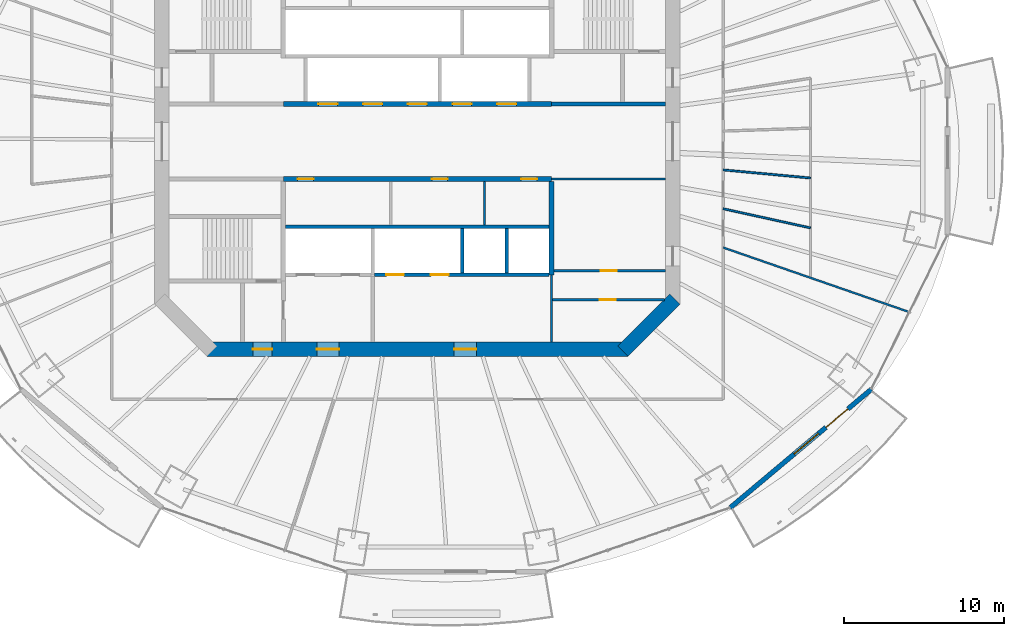
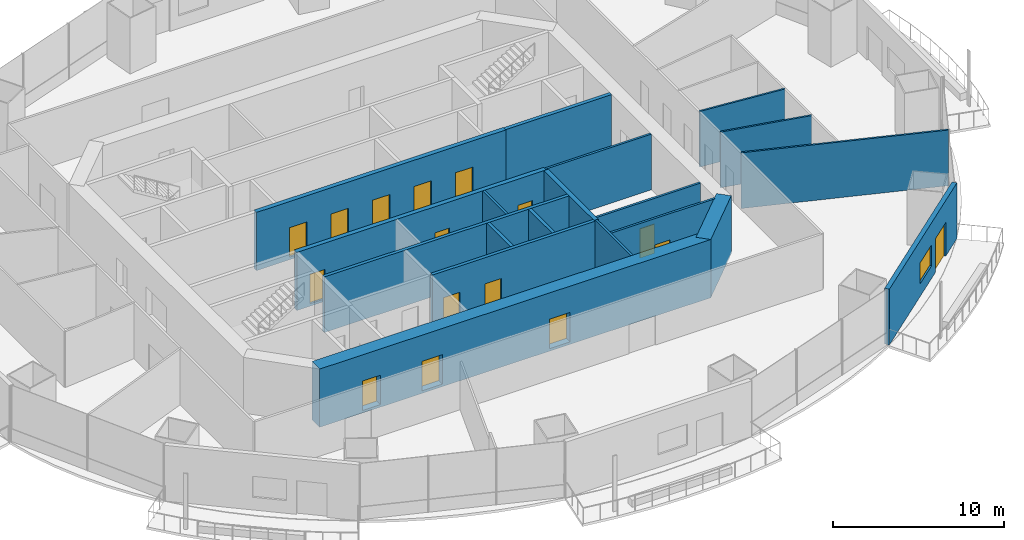
# One storey, part 12 of 20: 19 walls, 16 doors, 1 window, 17 openings.
"""IFC4 building model written with IfcOpenShell, lengths in metres."""

from ifc_helpers import new_model, si_unit, direction, frame, frame_2d, origin, place, context, subcontext, project, spatial, rectangle, extrude, material, layer, layer_set, type_object, element, fill, save


model = new_model("IFC4")

# Units and contexts
model_context = context("Model", 3, precision=1e-05, world=origin(), true_north=direction((0.0, 1.0)))
body_context = subcontext(model_context, "Body", "Model", "MODEL_VIEW")
ifc_project = project(units=[si_unit("LENGTHUNIT", "METRE"), si_unit("AREAUNIT", "SQUARE_METRE"), si_unit("VOLUMEUNIT", "CUBIC_METRE"), si_unit("PLANEANGLEUNIT", "RADIAN"), si_unit("MASSUNIT", "GRAM", prefix="KILO")], contexts=[model_context])

# Site, building, storey
site_placement = place(None, origin())
site = spatial("IfcSite", under=ifc_project, at=site_placement, CompositionType="ELEMENT")
building_placement = place(site_placement, origin())
building = spatial("IfcBuilding", under=site, at=building_placement, Name="Marenthal Gate Tower", CompositionType="ELEMENT")
storey_placement = place(building_placement, frame((0.0, 0.0, 190.10009765625)))
storey = spatial("IfcBuildingStorey", under=building, at=storey_placement, Name="L41", CompositionType="ELEMENT", Elevation=190.10009765625)

# Wall
ifc_material_1 = material(Name="Concrete 60 MPa", Category="concrete")
ifc_layer_1 = layer(ifc_material_1, 0.89990234375)
ifc_layer_set_1 = layer_set([ifc_layer_1], Name="Core shear wall 900")
wall_type_1 = type_object("IfcWallType", Name="Core shear wall 900", PredefinedType="SHEAR", material=ifc_layer_set_1)
wall_1_placement = place(storey_placement, frame((12.8681640625, -13.1318359375, -0.18017578125), z_axis=(0.0, 0.0, 1.0), x_axis=(0.707106781187, 0.707106781187, 0.0)))
element("IfcWall", 1, at=wall_1_placement, inside=storey, type_object=wall_type_1, Name="Core wall 01", PredefinedType="SHEAR", context=body_context, shape_type="SweptSolid", body=[
    extrude(rectangle(XDim=4.615478515625, YDim=0.89990234375, at=frame_2d((2.3076171875, 0.0))), origin(), (0.0, 0.0, 1.0), 4.150146484375),
])

# Wall, openings, doors
wall_2_placement = place(storey_placement, frame((-13.186279296875, -13.0, -0.18017578125), z_axis=(0.0, 0.0, 1.0), x_axis=(1.0, 0.0, 0.0)))
wall_2 = element("IfcWall", 2, at=wall_2_placement, inside=storey, type_object=wall_type_1, Name="Core wall 08", PredefinedType="SHEAR", context=body_context, shape_type="SweptSolid", body=[
    extrude(rectangle(XDim=26.37255859375, YDim=0.89990234375, at=frame_2d((13.186279296875, 0.0))), origin(), (0.0, 0.0, 1.0), 4.150146484375),
])
opening_1_placement = place(wall_2_placement, frame((2.886474609375, 0.0, 0.179931640625)))
opening_1 = element("IfcOpeningElement", 3, at=opening_1_placement, cuts=wall_2, Name="Opening D001.06", PredefinedType="OPENING", context=body_context, shape_type="SweptSolid", body=[
    extrude(rectangle(XDim=1.199951171875, YDim=2.10009765625, at=frame_2d((0.60009765625, 1.050048828125))), frame((0.0, 0.4599609375, 0.0), z_axis=(0.0, -1.0, 0.0), x_axis=(1.0, 0.0, 0.0)), (0.0, 0.0, 1.0), 0.919921875),
])
opening_2_placement = place(wall_2_placement, frame((6.886474609375, 0.0, 0.179931640625)))
opening_2 = element("IfcOpeningElement", 4, at=opening_2_placement, cuts=wall_2, Name="Opening D004.01", PredefinedType="OPENING", context=body_context, shape_type="SweptSolid", body=[
    extrude(rectangle(XDim=1.39990234375, YDim=2.10009765625, at=frame_2d((0.699951171875, 1.050048828125))), frame((0.0, 0.4599609375, 0.0), z_axis=(0.0, -1.0, 0.0), x_axis=(1.0, 0.0, 0.0)), (0.0, 0.0, 1.0), 0.919921875),
])
opening_3_placement = place(wall_2_placement, frame((15.486328125, 0.0, 0.179931640625)))
opening_3 = element("IfcOpeningElement", 5, at=opening_3_placement, cuts=wall_2, Name="Opening D004.02", PredefinedType="OPENING", context=body_context, shape_type="SweptSolid", body=[
    extrude(rectangle(XDim=1.39990234375, YDim=2.10009765625, at=frame_2d((0.699951171875, 1.050048828125))), frame((0.0, 0.4599609375, 0.0), z_axis=(0.0, -1.0, 0.0), x_axis=(1.0, 0.0, 0.0)), (0.0, 0.0, 1.0), 0.919921875),
])
ifc_material_2 = material(Name="Steel fire door", Category="steel")
door_type_1 = type_object("IfcDoorType", Name="Fire door FD 45 1400 x 2100", OperationType="NOTDEFINED", PredefinedType="DOOR", material=ifc_material_2)
door_1_placement = place(opening_2_placement, origin())
door_1 = element("IfcDoor", 6, at=door_1_placement, inside=storey, type_object=door_type_1, Name="Door D004.01", OperationType="SINGLE_SWING_RIGHT", OverallHeight=2.10009765625, OverallWidth=1.39990234375, PredefinedType="DOOR", context=body_context, shape_type="SweptSolid", body=[
    extrude(rectangle(XDim=1.39990234375, YDim=2.10009765625, at=frame_2d((0.699951171875, 1.050048828125))), frame((0.0, 0.02490234375, 0.0), z_axis=(0.0, -1.0, 0.0), x_axis=(1.0, 0.0, 0.0)), (0.0, 0.0, 1.0), 0.050048828125),
])
fill(opening_2, door_1)
door_2_placement = place(opening_3_placement, origin())
door_2 = element("IfcDoor", 7, at=door_2_placement, inside=storey, type_object=door_type_1, Name="Door D004.02", OperationType="SINGLE_SWING_RIGHT", OverallHeight=2.10009765625, OverallWidth=1.39990234375, PredefinedType="DOOR", context=body_context, shape_type="SweptSolid", body=[
    extrude(rectangle(XDim=1.39990234375, YDim=2.10009765625, at=frame_2d((0.699951171875, 1.050048828125))), frame((0.0, 0.02490234375, 0.0), z_axis=(0.0, -1.0, 0.0), x_axis=(1.0, 0.0, 0.0)), (0.0, 0.0, 1.0), 0.050048828125),
])
fill(opening_3, door_2)
ifc_material_3 = material(Name="Steel fire door", Category="steel")
door_type_2 = type_object("IfcDoorType", Name="Fire door FD 90 1200 x 2100", OperationType="NOTDEFINED", PredefinedType="DOOR", material=ifc_material_3)
door_3_placement = place(opening_1_placement, origin())
door_3 = element("IfcDoor", 8, at=door_3_placement, inside=storey, type_object=door_type_2, Name="Door D001.06", OperationType="SINGLE_SWING_RIGHT", OverallHeight=2.10009765625, OverallWidth=1.199951171875, PredefinedType="DOOR", context=body_context, shape_type="SweptSolid", body=[
    extrude(rectangle(XDim=1.199951171875, YDim=2.10009765625, at=frame_2d((0.60009765625, 1.050048828125))), frame((0.0, 0.02490234375, 0.0), z_axis=(0.0, -1.0, 0.0), x_axis=(1.0, 0.0, 0.0)), (0.0, 0.0, 1.0), 0.050048828125),
])
fill(opening_1, door_3)

ifc_material_4 = material(Name="Concrete 50 MPa", Category="concrete")
ifc_layer_2 = layer(ifc_material_4, 0.300048828125)
ifc_layer_set_2 = layer_set([ifc_layer_2], Name="Hoistway shear wall 300")
wall_type_2 = type_object("IfcWallType", Name="Hoistway shear wall 300", PredefinedType="SHEAR", material=ifc_layer_set_2)
wall_3_placement = place(storey_placement, frame((-8.39990234375, -2.35009765625, -0.18017578125), z_axis=(0.0, 0.0, 1.0), x_axis=(1.0, 0.0, 0.0)))
wall_3 = element("IfcWall", 9, at=wall_3_placement, inside=storey, type_object=wall_type_2, Name="Hoistway wall 17", PredefinedType="SHEAR", context=body_context, shape_type="SweptSolid", body=[
    extrude(rectangle(XDim=16.7998046875, YDim=0.300048828125, at=frame_2d((8.39990234375, 0.0))), origin(), (0.0, 0.0, 1.0), 4.150146484375),
])
opening_4_placement = place(wall_3_placement, frame((0.89990234375, 0.0, 0.179931640625)))
opening_4 = element("IfcOpeningElement", 10, at=opening_4_placement, cuts=wall_3, Name="Opening D005.01", PredefinedType="OPENING", context=body_context, shape_type="SweptSolid", body=[
    extrude(rectangle(XDim=1.0, YDim=2.10009765625, at=frame_2d((0.5, 1.050048828125))), frame((0.0, 0.16015625, 0.0), z_axis=(0.0, -1.0, 0.0), x_axis=(1.0, 0.0, 0.0)), (0.0, 0.0, 1.0), 0.320068359375),
])
opening_5_placement = place(wall_3_placement, frame((9.300048828125, 0.0, 0.179931640625)))
opening_5 = element("IfcOpeningElement", 11, at=opening_5_placement, cuts=wall_3, Name="Opening D005.02", PredefinedType="OPENING", context=body_context, shape_type="SweptSolid", body=[
    extrude(rectangle(XDim=1.0, YDim=2.10009765625, at=frame_2d((0.5, 1.050048828125))), frame((0.0, 0.16015625, 0.0), z_axis=(0.0, -1.0, 0.0), x_axis=(1.0, 0.0, 0.0)), (0.0, 0.0, 1.0), 0.320068359375),
])
opening_6_placement = place(wall_3_placement, frame((14.89990234375, 0.0, 0.179931640625)))
opening_6 = element("IfcOpeningElement", 12, at=opening_6_placement, cuts=wall_3, Name="Opening D005.03", PredefinedType="OPENING", context=body_context, shape_type="SweptSolid", body=[
    extrude(rectangle(XDim=1.0, YDim=2.10009765625, at=frame_2d((0.5, 1.050048828125))), frame((0.0, 0.16015625, 0.0), z_axis=(0.0, -1.0, 0.0), x_axis=(1.0, 0.0, 0.0)), (0.0, 0.0, 1.0), 0.320068359375),
])
ifc_material_5 = material(Name="Steel fire door", Category="steel")
door_type_3 = type_object("IfcDoorType", Name="Fire door FD 45 1000 x 2100", OperationType="NOTDEFINED", PredefinedType="DOOR", material=ifc_material_5)
door_4_placement = place(opening_4_placement, frame((1.0, 0.0, 0.0), z_axis=(0.0, 0.0, 1.0), x_axis=(-1.0, 0.0, 0.0)))
door_4 = element("IfcDoor", 13, at=door_4_placement, inside=storey, type_object=door_type_3, Name="Door D005.01", OperationType="SINGLE_SWING_LEFT", OverallHeight=2.10009765625, OverallWidth=1.0, PredefinedType="DOOR", context=body_context, shape_type="SweptSolid", body=[
    extrude(rectangle(XDim=1.0, YDim=2.10009765625, at=frame_2d((0.5, 1.050048828125))), frame((0.0, 0.02490234375, 0.0), z_axis=(0.0, -1.0, 0.0), x_axis=(1.0, 0.0, 0.0)), (0.0, 0.0, 1.0), 0.050048828125),
])
fill(opening_4, door_4)
door_5_placement = place(opening_5_placement, frame((1.0, 0.0, 0.0), z_axis=(0.0, 0.0, 1.0), x_axis=(-1.0, 0.0, 0.0)))
door_5 = element("IfcDoor", 14, at=door_5_placement, inside=storey, type_object=door_type_3, Name="Door D005.02", OperationType="SINGLE_SWING_LEFT", OverallHeight=2.10009765625, OverallWidth=1.0, PredefinedType="DOOR", context=body_context, shape_type="SweptSolid", body=[
    extrude(rectangle(XDim=1.0, YDim=2.10009765625, at=frame_2d((0.5, 1.050048828125))), frame((0.0, 0.02490234375, 0.0), z_axis=(0.0, -1.0, 0.0), x_axis=(1.0, 0.0, 0.0)), (0.0, 0.0, 1.0), 0.050048828125),
])
fill(opening_5, door_5)
door_6_placement = place(opening_6_placement, frame((1.0, 0.0, 0.0), z_axis=(0.0, 0.0, 1.0), x_axis=(-1.0, 0.0, 0.0)))
door_6 = element("IfcDoor", 15, at=door_6_placement, inside=storey, type_object=door_type_3, Name="Door D005.03", OperationType="SINGLE_SWING_LEFT", OverallHeight=2.10009765625, OverallWidth=1.0, PredefinedType="DOOR", context=body_context, shape_type="SweptSolid", body=[
    extrude(rectangle(XDim=1.0, YDim=2.10009765625, at=frame_2d((0.5, 1.050048828125))), frame((0.0, 0.02490234375, 0.0), z_axis=(0.0, -1.0, 0.0), x_axis=(1.0, 0.0, 0.0)), (0.0, 0.0, 1.0), 0.050048828125),
])
fill(opening_6, door_6)

wall_4_placement = place(storey_placement, frame((-8.39990234375, 2.35009765625, -0.18017578125), z_axis=(0.0, 0.0, 1.0), x_axis=(1.0, 0.0, 0.0)))
wall_4 = element("IfcWall", 16, at=wall_4_placement, inside=storey, type_object=wall_type_2, Name="Hoistway wall 20", PredefinedType="SHEAR", context=body_context, shape_type="SweptSolid", body=[
    extrude(rectangle(XDim=16.7998046875, YDim=0.300048828125, at=frame_2d((8.39990234375, 0.0))), origin(), (0.0, 0.0, 1.0), 4.150146484375),
])
opening_7_placement = place(wall_4_placement, frame((2.199951171875, 0.0, 0.179931640625)))
opening_7 = element("IfcOpeningElement", 17, at=opening_7_placement, cuts=wall_4, Name="Opening LD-MP1", PredefinedType="OPENING", context=body_context, shape_type="SweptSolid", body=[
    extrude(rectangle(XDim=1.199951171875, YDim=2.10009765625, at=frame_2d((0.60009765625, 1.050048828125))), frame((0.0, 0.16015625, 0.0), z_axis=(0.0, -1.0, 0.0), x_axis=(1.0, 0.0, 0.0)), (0.0, 0.0, 1.0), 0.320068359375),
])
opening_8_placement = place(wall_4_placement, frame((5.0, 0.0, 0.179931640625)))
opening_8 = element("IfcOpeningElement", 18, at=opening_8_placement, cuts=wall_4, Name="Opening LD-MP2", PredefinedType="OPENING", context=body_context, shape_type="SweptSolid", body=[
    extrude(rectangle(XDim=1.199951171875, YDim=2.10009765625, at=frame_2d((0.60009765625, 1.050048828125))), frame((0.0, 0.16015625, 0.0), z_axis=(0.0, -1.0, 0.0), x_axis=(1.0, 0.0, 0.0)), (0.0, 0.0, 1.0), 0.320068359375),
])
opening_9_placement = place(wall_4_placement, frame((7.800048828125, 0.0, 0.179931640625)))
opening_9 = element("IfcOpeningElement", 19, at=opening_9_placement, cuts=wall_4, Name="Opening LD-MP3", PredefinedType="OPENING", context=body_context, shape_type="SweptSolid", body=[
    extrude(rectangle(XDim=1.199951171875, YDim=2.10009765625, at=frame_2d((0.60009765625, 1.050048828125))), frame((0.0, 0.16015625, 0.0), z_axis=(0.0, -1.0, 0.0), x_axis=(1.0, 0.0, 0.0)), (0.0, 0.0, 1.0), 0.320068359375),
])
opening_10_placement = place(wall_4_placement, frame((10.60009765625, 0.0, 0.179931640625)))
opening_10 = element("IfcOpeningElement", 20, at=opening_10_placement, cuts=wall_4, Name="Opening LD-MP4", PredefinedType="OPENING", context=body_context, shape_type="SweptSolid", body=[
    extrude(rectangle(XDim=1.199951171875, YDim=2.10009765625, at=frame_2d((0.60009765625, 1.050048828125))), frame((0.0, 0.16015625, 0.0), z_axis=(0.0, -1.0, 0.0), x_axis=(1.0, 0.0, 0.0)), (0.0, 0.0, 1.0), 0.320068359375),
])
opening_11_placement = place(wall_4_placement, frame((13.39990234375, 0.0, 0.179931640625)))
opening_11 = element("IfcOpeningElement", 21, at=opening_11_placement, cuts=wall_4, Name="Opening LD-MP5", PredefinedType="OPENING", context=body_context, shape_type="SweptSolid", body=[
    extrude(rectangle(XDim=1.199951171875, YDim=2.10009765625, at=frame_2d((0.60009765625, 1.050048828125))), frame((0.0, 0.16015625, 0.0), z_axis=(0.0, -1.0, 0.0), x_axis=(1.0, 0.0, 0.0)), (0.0, 0.0, 1.0), 0.320068359375),
])
ifc_material_6 = material(Name="Stainless steel sliding door", Category="steel")
door_type_4 = type_object("IfcDoorType", Name="Lift landing door FD 90 1200 x 2100", OperationType="DOUBLE_DOOR_SLIDING", PredefinedType="DOOR", material=ifc_material_6)
door_7_placement = place(opening_7_placement, origin())
door_7 = element("IfcDoor", 22, at=door_7_placement, inside=storey, type_object=door_type_4, Name="Lift landing door MP1", OperationType="DOUBLE_DOOR_SLIDING", OverallHeight=2.10009765625, OverallWidth=1.199951171875, PredefinedType="DOOR", context=body_context, shape_type="SweptSolid", body=[
    extrude(rectangle(XDim=1.199951171875, YDim=2.10009765625, at=frame_2d((0.60009765625, 1.050048828125))), frame((0.0, 0.02490234375, 0.0), z_axis=(0.0, -1.0, 0.0), x_axis=(1.0, 0.0, 0.0)), (0.0, 0.0, 1.0), 0.050048828125),
])
fill(opening_7, door_7)
door_8_placement = place(opening_8_placement, origin())
door_8 = element("IfcDoor", 23, at=door_8_placement, inside=storey, type_object=door_type_4, Name="Lift landing door MP2", OperationType="DOUBLE_DOOR_SLIDING", OverallHeight=2.10009765625, OverallWidth=1.199951171875, PredefinedType="DOOR", context=body_context, shape_type="SweptSolid", body=[
    extrude(rectangle(XDim=1.199951171875, YDim=2.10009765625, at=frame_2d((0.60009765625, 1.050048828125))), frame((0.0, 0.02490234375, 0.0), z_axis=(0.0, -1.0, 0.0), x_axis=(1.0, 0.0, 0.0)), (0.0, 0.0, 1.0), 0.050048828125),
])
fill(opening_8, door_8)
door_9_placement = place(opening_9_placement, origin())
door_9 = element("IfcDoor", 24, at=door_9_placement, inside=storey, type_object=door_type_4, Name="Lift landing door MP3", OperationType="DOUBLE_DOOR_SLIDING", OverallHeight=2.10009765625, OverallWidth=1.199951171875, PredefinedType="DOOR", context=body_context, shape_type="SweptSolid", body=[
    extrude(rectangle(XDim=1.199951171875, YDim=2.10009765625, at=frame_2d((0.60009765625, 1.050048828125))), frame((0.0, 0.02490234375, 0.0), z_axis=(0.0, -1.0, 0.0), x_axis=(1.0, 0.0, 0.0)), (0.0, 0.0, 1.0), 0.050048828125),
])
fill(opening_9, door_9)
door_10_placement = place(opening_10_placement, origin())
door_10 = element("IfcDoor", 25, at=door_10_placement, inside=storey, type_object=door_type_4, Name="Lift landing door MP4", OperationType="DOUBLE_DOOR_SLIDING", OverallHeight=2.10009765625, OverallWidth=1.199951171875, PredefinedType="DOOR", context=body_context, shape_type="SweptSolid", body=[
    extrude(rectangle(XDim=1.199951171875, YDim=2.10009765625, at=frame_2d((0.60009765625, 1.050048828125))), frame((0.0, 0.02490234375, 0.0), z_axis=(0.0, -1.0, 0.0), x_axis=(1.0, 0.0, 0.0)), (0.0, 0.0, 1.0), 0.050048828125),
])
fill(opening_10, door_10)
door_11_placement = place(opening_11_placement, origin())
door_11 = element("IfcDoor", 26, at=door_11_placement, inside=storey, type_object=door_type_4, Name="Lift landing door MP5", OperationType="DOUBLE_DOOR_SLIDING", OverallHeight=2.10009765625, OverallWidth=1.199951171875, PredefinedType="DOOR", context=body_context, shape_type="SweptSolid", body=[
    extrude(rectangle(XDim=1.199951171875, YDim=2.10009765625, at=frame_2d((0.60009765625, 1.050048828125))), frame((0.0, 0.02490234375, 0.0), z_axis=(0.0, -1.0, 0.0), x_axis=(1.0, 0.0, 0.0)), (0.0, 0.0, 1.0), 0.050048828125),
])
fill(opening_11, door_11)

# Wall
wall_5_placement = place(storey_placement, frame((8.39990234375, -8.35009765625, -0.18017578125), z_axis=(0.0, 0.0, 1.0), x_axis=(0.0, 1.0, 0.0)))
element("IfcWall", 27, at=wall_5_placement, inside=storey, type_object=wall_type_2, Name="Hoistway wall 46", PredefinedType="SHEAR", context=body_context, shape_type="SweptSolid", body=[
    extrude(rectangle(XDim=5.85009765625, YDim=0.300048828125, at=frame_2d((2.925048828125, 0.0))), origin(), (0.0, 0.0, 1.0), 4.150146484375),
])

# Wall, openings, doors
ifc_material_7 = material(Name="Concrete 40 MPa", Category="concrete")
ifc_layer_3 = layer(ifc_material_7, 0.219970703125)
ifc_layer_set_3 = layer_set([ifc_layer_3], Name="Hoistway wall 220")
wall_type_3 = type_object("IfcWallType", Name="Hoistway wall 220", PredefinedType="STANDARD", material=ifc_layer_set_3)
wall_6_placement = place(storey_placement, frame((-2.68994140625, -8.35009765625, 0.0), z_axis=(0.0, 0.0, 1.0), x_axis=(1.0, 0.0, 0.0)))
wall_6 = element("IfcWall", 28, at=wall_6_placement, inside=storey, type_object=wall_type_3, Name="Hoistway wall 12", PredefinedType="STANDARD", context=body_context, shape_type="SweptSolid", body=[
    extrude(rectangle(XDim=10.93994140625, YDim=0.219970703125, at=frame_2d((5.469970703125, 0.0))), origin(), (0.0, 0.0, 1.0), 3.969970703125),
])
opening_12_placement = place(wall_6_placement, frame((0.739990234375, 0.0, 0.0)))
opening_12 = element("IfcOpeningElement", 29, at=opening_12_placement, cuts=wall_6, Name="Opening LD-SV1", PredefinedType="OPENING", context=body_context, shape_type="SweptSolid", body=[
    extrude(rectangle(XDim=1.10009765625, YDim=2.10009765625, at=frame_2d((0.550048828125, 1.050048828125))), frame((0.0, 0.1201171875, 0.0), z_axis=(0.0, -1.0, 0.0), x_axis=(1.0, 0.0, 0.0)), (0.0, 0.0, 1.0), 0.239990234375),
])
opening_13_placement = place(wall_6_placement, frame((3.5400390625, 0.0, 0.0)))
opening_13 = element("IfcOpeningElement", 30, at=opening_13_placement, cuts=wall_6, Name="Opening LD-SV2", PredefinedType="OPENING", context=body_context, shape_type="SweptSolid", body=[
    extrude(rectangle(XDim=1.10009765625, YDim=2.10009765625, at=frame_2d((0.550048828125, 1.050048828125))), frame((0.0, 0.1201171875, 0.0), z_axis=(0.0, -1.0, 0.0), x_axis=(1.0, 0.0, 0.0)), (0.0, 0.0, 1.0), 0.239990234375),
])
ifc_material_8 = material(Name="Stainless steel sliding door", Category="steel")
door_type_5 = type_object("IfcDoorType", Name="Lift landing door FD 90 1100 x 2100", OperationType="DOUBLE_DOOR_SLIDING", PredefinedType="DOOR", material=ifc_material_8)
door_12_placement = place(opening_12_placement, origin())
door_12 = element("IfcDoor", 31, at=door_12_placement, inside=storey, type_object=door_type_5, Name="Lift landing door SV1", OperationType="DOUBLE_DOOR_SLIDING", OverallHeight=2.10009765625, OverallWidth=1.10009765625, PredefinedType="DOOR", context=body_context, shape_type="SweptSolid", body=[
    extrude(rectangle(XDim=1.10009765625, YDim=2.10009765625, at=frame_2d((0.550048828125, 1.050048828125))), frame((0.0, 0.02490234375, 0.0), z_axis=(0.0, -1.0, 0.0), x_axis=(1.0, 0.0, 0.0)), (0.0, 0.0, 1.0), 0.050048828125),
])
fill(opening_12, door_12)
door_13_placement = place(opening_13_placement, origin())
door_13 = element("IfcDoor", 32, at=door_13_placement, inside=storey, type_object=door_type_5, Name="Lift landing door SV2", OperationType="DOUBLE_DOOR_SLIDING", OverallHeight=2.10009765625, OverallWidth=1.10009765625, PredefinedType="DOOR", context=body_context, shape_type="SweptSolid", body=[
    extrude(rectangle(XDim=1.10009765625, YDim=2.10009765625, at=frame_2d((0.550048828125, 1.050048828125))), frame((0.0, 0.02490234375, 0.0), z_axis=(0.0, -1.0, 0.0), x_axis=(1.0, 0.0, 0.0)), (0.0, 0.0, 1.0), 0.050048828125),
])
fill(opening_13, door_13)

# Walls
wall_7_placement = place(storey_placement, frame((-8.25, -5.35009765625, 0.0), z_axis=(0.0, 0.0, 1.0), x_axis=(1.0, 0.0, 0.0)))
element("IfcWall", 33, at=wall_7_placement, inside=storey, type_object=wall_type_3, Name="Hoistway wall 14", PredefinedType="STANDARD", context=body_context, shape_type="SweptSolid", body=[
    extrude(rectangle(XDim=16.5, YDim=0.219970703125, at=frame_2d((8.25, 0.0))), origin(), (0.0, 0.0, 1.0), 3.969970703125),
])
for number, where, z_axis, x_axis, name in (
    (34, (2.800048828125, -8.239990234375, 0.0), (0.0, 0.0, 1.0), (0.0, 1.0, 0.0), "Hoistway wall 40"),
    (35, (5.60009765625, -8.239990234375, 0.0), (0.0, 0.0, 1.0), (0.0, 1.0, 0.0), "Hoistway wall 43"),
):
    element("IfcWall", number, at=place(storey_placement, frame(where, z_axis=z_axis, x_axis=x_axis)), inside=storey, type_object=wall_type_3, Name=name, PredefinedType="STANDARD", context=body_context, shape_type="SweptSolid", body=[
        extrude(rectangle(XDim=2.780029296875, YDim=0.219970703125, at=frame_2d((1.39013671875, 0.0))), origin(), (0.0, 0.0, 1.0), 3.969970703125),
    ])
ifc_material_9 = material(Name="Gypsum board on steel studs", Category="steel")
ifc_layer_4 = layer(ifc_material_9, 0.1201171875)
ifc_layer_set_4 = layer_set([ifc_layer_4], Name="Partition 120")
wall_type_4 = type_object("IfcWallType", Name="Partition 120", PredefinedType="PARTITIONING", material=ifc_layer_set_4)
wall_8_placement = place(storey_placement, frame((19.14990234375, -6.639404296875, 0.0), z_axis=(0.0, 0.0, 1.0), x_axis=(0.944824605936, -0.327576653652, 0.0)))
element("IfcWall", 36, at=wall_8_placement, inside=storey, type_object=wall_type_4, Name="Partition wall 63", PredefinedType="PARTITIONING", context=body_context, shape_type="SweptSolid", body=[
    extrude(rectangle(XDim=12.340576171875, YDim=0.1201171875, at=frame_2d((6.17041015625, 0.0))), origin(), (0.0, 0.0, 1.0), 3.969970703125),
])
wall_9_placement = place(storey_placement, frame((24.61865234375, -5.41064453125, 0.0), z_axis=(0.0, 0.0, 1.0), x_axis=(-0.976690192817, 0.214653831216, 0.0)))
element("IfcWall", 37, at=wall_9_placement, inside=storey, type_object=wall_type_4, Name="Partition wall 67", PredefinedType="PARTITIONING", context=body_context, shape_type="SweptSolid", body=[
    extrude(rectangle(XDim=5.599365234375, YDim=0.1201171875, at=frame_2d((2.7998046875, 0.0))), origin(), (0.0, 0.0, 1.0), 3.969970703125),
])
wall_10_placement = place(storey_placement, frame((24.61865234375, -2.285888671875, 0.0), z_axis=(0.0, 0.0, 1.0), x_axis=(-0.995720548073, 0.092415313368, 0.0)))
element("IfcWall", 38, at=wall_10_placement, inside=storey, type_object=wall_type_4, Name="Partition wall 68", PredefinedType="PARTITIONING", context=body_context, shape_type="SweptSolid", body=[
    extrude(rectangle(XDim=5.4921875, YDim=0.1201171875, at=frame_2d((2.74609375, 0.0))), origin(), (0.0, 0.0, 1.0), 3.969970703125),
])

# Wall, opening, door
ifc_material_10 = material(Name="Gypsum board on steel studs", Category="steel")
ifc_layer_5 = layer(ifc_material_10, 0.14990234375)
ifc_layer_set_5 = layer_set([ifc_layer_5], Name="Partition 150")
wall_type_5 = type_object("IfcWallType", Name="Partition 150", PredefinedType="PARTITIONING", material=ifc_layer_set_5)
wall_11_placement = place(storey_placement, frame((8.47509765625, -9.89990234375, 0.0), z_axis=(0.0, 0.0, 1.0), x_axis=(1.0, 0.0, 0.0)))
wall_11 = element("IfcWall", 39, at=wall_11_placement, inside=storey, type_object=wall_type_5, Name="Partition wall 09", PredefinedType="PARTITIONING", context=body_context, shape_type="SweptSolid", body=[
    extrude(rectangle(XDim=6.988525390625, YDim=0.14990234375, at=frame_2d((3.494140625, 0.0))), origin(), (0.0, 0.0, 1.0), 3.969970703125),
])
opening_14_placement = place(wall_11_placement, frame((2.956787109375, 0.0, 0.0)))
opening_14 = element("IfcOpeningElement", 40, at=opening_14_placement, cuts=wall_11, Name="Opening D005.07", PredefinedType="OPENING", context=body_context, shape_type="SweptSolid", body=[
    extrude(rectangle(XDim=1.0, YDim=2.10009765625, at=frame_2d((0.5, 1.050048828125))), frame((0.0, 0.0849609375, 0.0), z_axis=(0.0, -1.0, 0.0), x_axis=(1.0, 0.0, 0.0)), (0.0, 0.0, 1.0), 0.169921875),
])
door_14_placement = place(opening_14_placement, frame((1.0, 0.0, 0.0), z_axis=(0.0, 0.0, 1.0), x_axis=(-1.0, 0.0, 0.0)))
door_14 = element("IfcDoor", 41, at=door_14_placement, inside=storey, type_object=door_type_3, Name="Door D005.07", OperationType="SINGLE_SWING_LEFT", OverallHeight=2.10009765625, OverallWidth=1.0, PredefinedType="DOOR", context=body_context, shape_type="SweptSolid", body=[
    extrude(rectangle(XDim=1.0, YDim=2.10009765625, at=frame_2d((0.5, 1.050048828125))), frame((0.0, 0.02490234375, 0.0), z_axis=(0.0, -1.0, 0.0), x_axis=(1.0, 0.0, 0.0)), (0.0, 0.0, 1.0), 0.050048828125),
])
fill(opening_14, door_14)

wall_12_placement = place(storey_placement, frame((8.550048828125, -8.10009765625, 0.0), z_axis=(0.0, 0.0, 1.0), x_axis=(1.0, 0.0, 0.0)))
wall_12 = element("IfcWall", 42, at=wall_12_placement, inside=storey, type_object=wall_type_5, Name="Partition wall 13", PredefinedType="PARTITIONING", context=body_context, shape_type="SweptSolid", body=[
    extrude(rectangle(XDim=7.0, YDim=0.14990234375, at=frame_2d((3.5, 0.0))), origin(), (0.0, 0.0, 1.0), 3.969970703125),
])
opening_15_placement = place(wall_12_placement, frame((2.925048828125, 0.0, 0.0)))
opening_15 = element("IfcOpeningElement", 43, at=opening_15_placement, cuts=wall_12, Name="Opening D005.06", PredefinedType="OPENING", context=body_context, shape_type="SweptSolid", body=[
    extrude(rectangle(XDim=1.0, YDim=2.10009765625, at=frame_2d((0.5, 1.050048828125))), frame((0.0, 0.0849609375, 0.0), z_axis=(0.0, -1.0, 0.0), x_axis=(1.0, 0.0, 0.0)), (0.0, 0.0, 1.0), 0.169921875),
])
door_15_placement = place(opening_15_placement, origin())
door_15 = element("IfcDoor", 44, at=door_15_placement, inside=storey, type_object=door_type_3, Name="Door D005.06", OperationType="SINGLE_SWING_RIGHT", OverallHeight=2.10009765625, OverallWidth=1.0, PredefinedType="DOOR", context=body_context, shape_type="SweptSolid", body=[
    extrude(rectangle(XDim=1.0, YDim=2.10009765625, at=frame_2d((0.5, 1.050048828125))), frame((0.0, 0.02490234375, 0.0), z_axis=(0.0, -1.0, 0.0), x_axis=(1.0, 0.0, 0.0)), (0.0, 0.0, 1.0), 0.050048828125),
])
fill(opening_15, door_15)

# Walls
wall_13_placement = place(storey_placement, frame((8.39990234375, -2.35009765625, 0.0), z_axis=(0.0, 0.0, 1.0), x_axis=(1.0, 0.0, 0.0)))
element("IfcWall", 45, at=wall_13_placement, inside=storey, type_object=wall_type_5, Name="Partition wall 18", PredefinedType="PARTITIONING", context=body_context, shape_type="SweptSolid", body=[
    extrude(rectangle(XDim=7.150146484375, YDim=0.14990234375, at=frame_2d((3.5751953125, 0.0))), origin(), (0.0, 0.0, 1.0), 3.969970703125),
])
wall_14_placement = place(storey_placement, frame((4.199951171875, -5.239990234375, 0.0), z_axis=(0.0, 0.0, 1.0), x_axis=(0.0, 1.0, 0.0)))
element("IfcWall", 46, at=wall_14_placement, inside=storey, type_object=wall_type_5, Name="Partition wall 42", PredefinedType="PARTITIONING", context=body_context, shape_type="SweptSolid", body=[
    extrude(rectangle(XDim=2.739990234375, YDim=0.14990234375, at=frame_2d((1.3701171875, 0.0))), origin(), (0.0, 0.0, 1.0), 3.969970703125),
])
wall_15_placement = place(storey_placement, frame((8.39990234375, -12.550048828125, 0.0), z_axis=(0.0, 0.0, 1.0), x_axis=(0.0, 1.0, 0.0)))
element("IfcWall", 47, at=wall_15_placement, inside=storey, type_object=wall_type_5, Name="Partition wall 45", PredefinedType="PARTITIONING", context=body_context, shape_type="SweptSolid", body=[
    extrude(rectangle(XDim=4.199951171875, YDim=0.14990234375, at=frame_2d((2.10009765625, 0.0))), origin(), (0.0, 0.0, 1.0), 3.969970703125),
])
ifc_material_11 = material(Name="Concrete 40 MPa", Category="concrete")
ifc_layer_6 = layer(ifc_material_11, 0.25)
ifc_layer_set_6 = layer_set([ifc_layer_6], Name="Stair enclosure wall 250")
wall_type_6 = type_object("IfcWallType", Name="Stair enclosure wall 250", PredefinedType="STANDARD", material=ifc_layer_set_6)
wall_16_placement = place(storey_placement, frame((8.39990234375, 2.35009765625, 0.0), z_axis=(0.0, 0.0, 1.0), x_axis=(1.0, 0.0, 0.0)))
element("IfcWall", 48, at=wall_16_placement, inside=storey, type_object=wall_type_6, Name="Stair wall 21", PredefinedType="STANDARD", context=body_context, shape_type="SweptSolid", body=[
    extrude(rectangle(XDim=7.150146484375, YDim=0.25, at=frame_2d((3.5751953125, 0.0))), origin(), (0.0, 0.0, 1.0), 3.969970703125),
])

# Wall, openings, door, window
ifc_material_12 = material(Name="Terracotta cladding on insulated concrete-block backing", Category="masonry")
ifc_layer_7 = layer(ifc_material_12, 0.300048828125)
ifc_layer_set_7 = layer_set([ifc_layer_7], Name="Terracotta facade wall 300")
wall_type_7 = type_object("IfcWallType", Name="Terracotta facade wall 300", PredefinedType="SOLIDWALL", material=ifc_layer_set_7)
wall_17_placement = place(storey_placement, frame((19.586669921875, -22.93408203125, 0.0), z_axis=(0.0, 0.0, 1.0), x_axis=(0.766073485726, 0.642752996468, 0.0)))
wall_17 = element("IfcWall", 49, at=wall_17_placement, inside=storey, type_object=wall_type_7, Name="Terracotta facade wall L41 bay 14", PredefinedType="SOLIDWALL", context=body_context, shape_type="SweptSolid", body=[
    extrude(rectangle(XDim=11.530029296875, YDim=0.300048828125, at=frame_2d((5.76513671875, 0.0))), origin(), (0.0, 0.0, 1.0), 3.969970703125),
])
opening_16_placement = place(wall_17_placement, frame((7.830078125, 0.0, 0.0)))
opening_16 = element("IfcOpeningElement", 50, at=opening_16_placement, cuts=wall_17, Name="Opening BD-L41-14", PredefinedType="OPENING", context=body_context, shape_type="SweptSolid", body=[
    extrude(rectangle(XDim=1.800048828125, YDim=2.39990234375, at=frame_2d((0.89990234375, 1.199951171875))), frame((0.0, 0.16015625, 0.0), z_axis=(0.0, -1.0, 0.0), x_axis=(1.0, 0.0, 0.0)), (0.0, 0.0, 1.0), 0.320068359375),
])
opening_17_placement = place(wall_17_placement, frame((5.22998046875, 0.0, 0.89990234375)))
opening_17 = element("IfcOpeningElement", 51, at=opening_17_placement, cuts=wall_17, Name="Opening WN2-L41-14", PredefinedType="OPENING", context=body_context, shape_type="SweptSolid", body=[
    extrude(rectangle(XDim=2.0, YDim=1.5, at=frame_2d((1.0, 0.75))), frame((0.0, 0.16015625, 0.0), z_axis=(0.0, -1.0, 0.0), x_axis=(1.0, 0.0, 0.0)), (0.0, 0.0, 1.0), 0.320068359375),
])
ifc_material_13 = material(Name="Aluminium and glass", Category="aluminium")
door_type_6 = type_object("IfcDoorType", Name="Balcony door 1800x2400", OperationType="DOUBLE_DOOR_SINGLE_SWING", PredefinedType="DOOR", material=ifc_material_13)
door_16_placement = place(opening_16_placement, origin())
door_16 = element("IfcDoor", 52, at=door_16_placement, inside=storey, type_object=door_type_6, Name="Balcony door L41 bay 14", OperationType="SINGLE_SWING_LEFT", OverallHeight=2.39990234375, OverallWidth=1.800048828125, PredefinedType="DOOR", context=body_context, shape_type="SweptSolid", body=[
    extrude(rectangle(XDim=1.800048828125, YDim=2.39990234375, at=frame_2d((0.89990234375, 1.199951171875))), frame((0.0, 0.02490234375, 0.0), z_axis=(0.0, -1.0, 0.0), x_axis=(1.0, 0.0, 0.0)), (0.0, 0.0, 1.0), 0.050048828125),
])
fill(opening_16, door_16)
ifc_material_14 = material(Name="Aluminium and glass", Category="aluminium")
window_type = type_object("IfcWindowType", Name="Window 2000x1500", PartitioningType="DOUBLE_PANEL_VERTICAL", PredefinedType="WINDOW", material=ifc_material_14)
window_placement = place(opening_17_placement, origin())
window = element("IfcWindow", 53, at=window_placement, inside=storey, type_object=window_type, Name="Window L41 bay 14", OverallHeight=1.5, OverallWidth=2.0, PartitioningType="SINGLE_PANEL", PredefinedType="WINDOW", context=body_context, shape_type="SweptSolid", body=[
    extrude(rectangle(XDim=2.0, YDim=1.5, at=frame_2d((1.0, 0.75))), frame((0.0, 0.030029296875, 0.0), z_axis=(0.0, -1.0, 0.0), x_axis=(1.0, 0.0, 0.0)), (0.0, 0.0, 1.0), 0.06005859375),
])
fill(opening_17, window)

save(model, "model.ifc")
